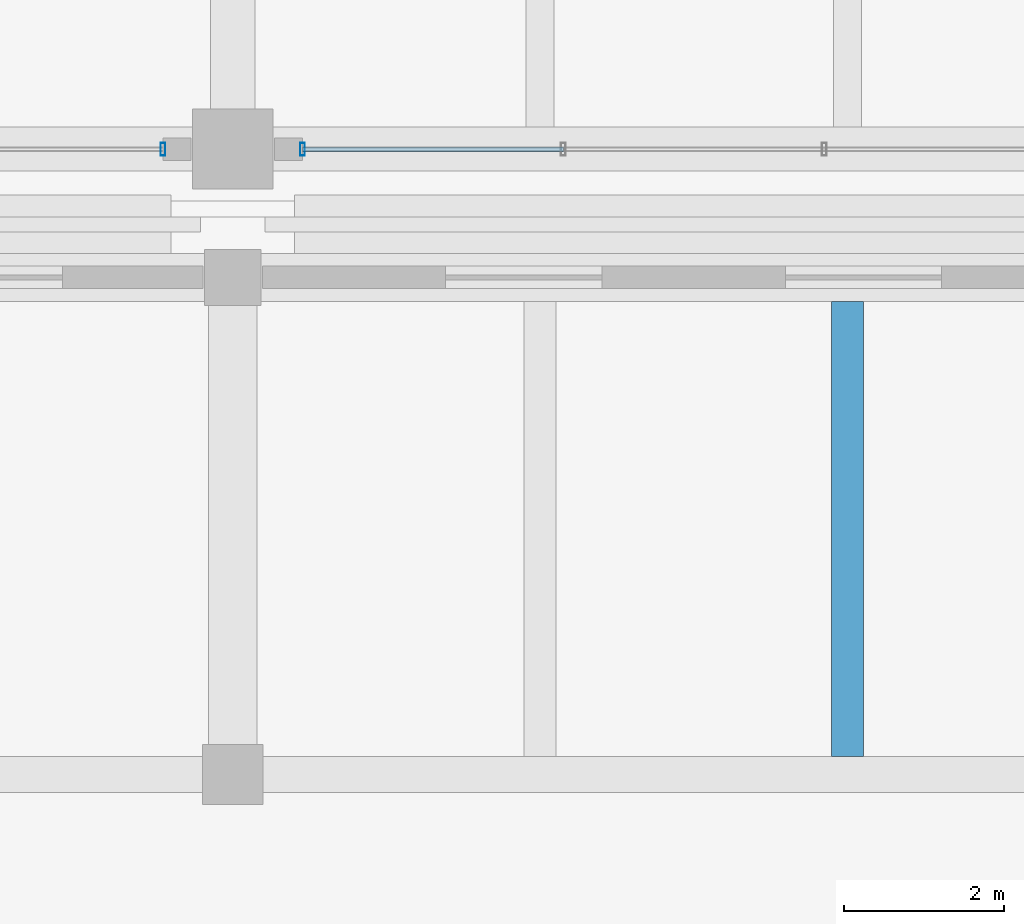
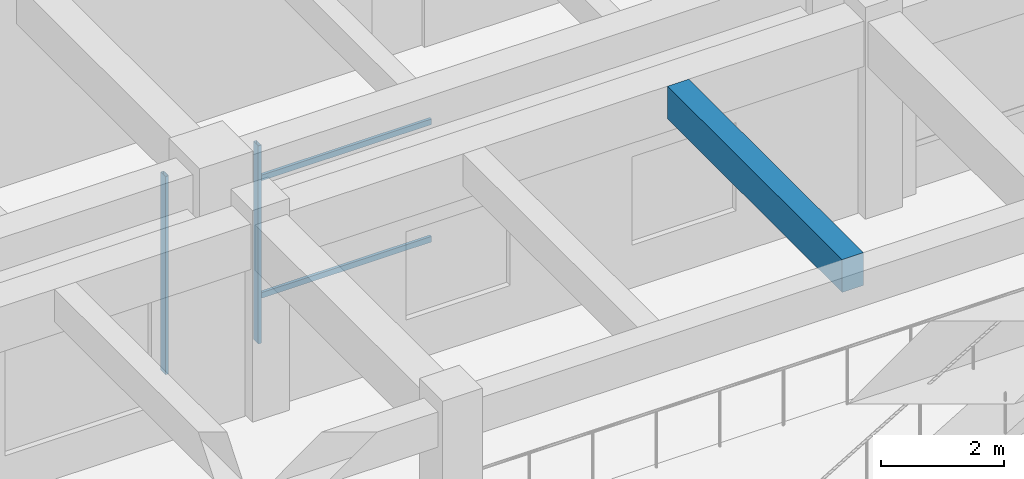
# One storey, part 28 of 109: 4 members, 1 beam, 2 elements without a shape of their own.
"""IFC4 building model written with IfcOpenShell, lengths in metres."""

import ifcopenshell
import ifcopenshell.guid

model = None  # the IFC model being written
_history = None  # IfcOwnerHistory: only IFC2X3 demands one
_inside = {}  # id of a spatial element -> (the spatial element, [elements in it])
_under = {}  # id of a project, library or spatial element -> (it, [spatial elements below it])
_declared = {}  # id of a project -> (the project, [libraries it declares])
_typed = {}  # id of a type object -> (the type object, [elements of that type])
_made_of = {}  # id of a material, layer set ... -> (it, [elements and type objects made of it])


def new_model(schema):
    """Start an empty IFC model of exactly this schema.

    Asked for "IFC4X3", IfcOpenShell would pick the latest addendum, in which some entities
    have other attributes; the version numbers below select the first issue.
    IFC2X3 requires an IfcOwnerHistory on every rooted entity: one is made here for all.
    """
    global model, _history
    if schema == "IFC4X3":
        model = ifcopenshell.file(schema_version=(4, 3, 0, 0))
    else:
        model = ifcopenshell.file(schema=schema)
    _inside.clear()
    _under.clear()
    _declared.clear()
    _typed.clear()
    _made_of.clear()
    _history = None
    if model.schema == "IFC2X3":
        org = make("IfcOrganization", Name="unknown")
        user = make(
            "IfcPersonAndOrganization",
            ThePerson=make("IfcPerson", FamilyName="unknown"),
            TheOrganization=org,
        )
        app = make(
            "IfcApplication",
            ApplicationDeveloper=org,
            Version="unknown",
            ApplicationFullName="unknown",
            ApplicationIdentifier="unknown",
        )
        _history = make(
            "IfcOwnerHistory",
            OwningUser=user,
            OwningApplication=app,
            ChangeAction="ADDED",
            CreationDate=0,
        )
    return model


def make(cls, **values):
    """One entity of the class cls with the attributes given. An attribute that is None is left unset."""
    return model.create_entity(
        cls, **{name: value for name, value in values.items() if value is not None}
    )


def rooted(cls, **values):
    """An entity with a GlobalId (a new one), such as an element, a storey or a relation."""
    return make(cls, GlobalId=ifcopenshell.guid.new(), OwnerHistory=_history, **values)


def si_unit(unit_type, name, prefix=None):
    """IfcSIUnit, for example si_unit("LENGTHUNIT", "METRE", prefix="MILLI")."""
    return make("IfcSIUnit", UnitType=unit_type, Prefix=prefix, Name=name)


def assignment(units):
    """IfcUnitAssignment: the units of a project."""
    return None if units is None else make("IfcUnitAssignment", Units=units)


def point(xyz):
    """IfcCartesianPoint."""
    return None if xyz is None else make("IfcCartesianPoint", Coordinates=xyz)


def direction(xyz):
    """IfcDirection."""
    return None if xyz is None else make("IfcDirection", DirectionRatios=xyz)


def frame(location, z_axis=None, x_axis=None):
    """IfcAxis2Placement3D, a coordinate frame: its origin and axes. An axis left out is left unset."""
    return make(
        "IfcAxis2Placement3D",
        Location=point(location),
        Axis=direction(z_axis),
        RefDirection=direction(x_axis),
    )


def frame_2d(location, x_axis=None):
    """IfcAxis2Placement2D, a coordinate frame in the plane: its origin and x axis."""
    return make(
        "IfcAxis2Placement2D", Location=point(location), RefDirection=direction(x_axis)
    )


def origin():
    """The frame at (0, 0, 0) with its axes left unset."""
    return frame((0.0, 0.0, 0.0))


def origin_2d():
    """The frame at (0, 0) in the plane with its x axis left unset."""
    return frame_2d((0.0, 0.0))


def place(relative_to, where):
    """IfcLocalPlacement: puts the frame where relative to a parent placement (None: the world)."""
    return make(
        "IfcLocalPlacement", PlacementRelTo=relative_to, RelativePlacement=where
    )


def context(
    kind, dimensions, precision=None, world=None, true_north=None, identifier=None
):
    """IfcGeometricRepresentationContext, for example the 3D "Model" context."""
    return make(
        "IfcGeometricRepresentationContext",
        ContextIdentifier=identifier,
        ContextType=kind,
        CoordinateSpaceDimension=dimensions,
        Precision=precision,
        WorldCoordinateSystem=world,
        TrueNorth=true_north,
    )


def subcontext(parent, identifier, kind, view, scale=None):
    """IfcGeometricRepresentationSubContext, for example "Body" below "Model"."""
    return make(
        "IfcGeometricRepresentationSubContext",
        ContextIdentifier=identifier,
        ContextType=kind,
        ParentContext=parent,
        TargetScale=scale,
        TargetView=view,
    )


def project(units=None, contexts=None):
    """IfcProject with its units and contexts."""
    return rooted(
        "IfcProject",
        Name="project",
        RepresentationContexts=contexts,
        UnitsInContext=assignment(units),
    )


def spatial(cls, under=None, at=None, **own):
    """A site, building, storey or space (cls), placed at a placement, below another one or the project."""
    s = rooted(cls, ObjectPlacement=at, **own)
    if under is not None:
        _under.setdefault(under.id(), (under, []))[1].append(s)
    return s


def profile(cls, at=None, kind="AREA", **sizes):
    """A parametric profile (cls). Its sizes go by their IFC names, for example OverallWidth=200.0."""
    return make(cls, ProfileType=kind, Position=at, **sizes)


def rectangle(**sizes):
    """IfcRectangleProfileDef."""
    return profile("IfcRectangleProfileDef", **sizes)


def hollow_rectangle(**sizes):
    """IfcRectangleHollowProfileDef."""
    return profile("IfcRectangleHollowProfileDef", **sizes)


def extrude(swept, where, along, depth):
    """IfcExtrudedAreaSolid: the profile swept, set in the frame where, extruded along a direction by depth."""
    return make(
        "IfcExtrudedAreaSolid",
        SweptArea=swept,
        Position=where,
        ExtrudedDirection=direction(along),
        Depth=depth,
    )


def shape(context_of_items, identifier, shape_type, items):
    """IfcShapeRepresentation: the items that make up one representation, for example the "Body"."""
    return make(
        "IfcShapeRepresentation",
        ContextOfItems=context_of_items,
        RepresentationIdentifier=identifier,
        RepresentationType=shape_type,
        Items=items,
    )


def material(Name=None, Category=None):
    """IfcMaterial."""
    return make("IfcMaterial", Name=Name, Category=Category)


def material_profile(
    of_material, cross_section, Name=None, Category=None, Priority=None
):
    """IfcMaterialProfile: a cross section and its material."""
    return make(
        "IfcMaterialProfile",
        Name=Name,
        Material=of_material,
        Profile=cross_section,
        Priority=Priority,
        Category=Category,
    )


def profile_set(profiles, Name=None, composite=None):
    """IfcMaterialProfileSet."""
    return make(
        "IfcMaterialProfileSet",
        Name=Name,
        MaterialProfiles=profiles,
        CompositeProfile=composite,
    )


def made_of(thing, what):
    """Note that an element or type object is made of a material, layer set ...; save() writes the relation."""
    if what is not None:
        _made_of.setdefault(what.id(), (what, []))[1].append(thing)
    return thing


def type_object(cls, material=None, **own):
    """A type object (cls), such as IfcWallType, which elements share."""
    return made_of(rooted(cls, **own), material)


def element(
    cls,
    number,
    at=None,
    inside=None,
    cuts=None,
    type_object=None,
    material=None,
    context=None,
    identifier="Body",
    shape_type=None,
    held_by="IfcProductDefinitionShape",
    body=None,
    shapes=None,
    **own,
):
    """One element of the class cls, such as IfcWall. Its Tag is "e" and its number.

    at: its placement. inside: the storey or other place that contains it. cuts: it is an
    opening in that element (IfcRelVoidsElement). A single representation is given by context,
    identifier, shape_type and body (its items); several are given by shapes. held_by: the class
    of the entity that holds the representations. save() writes the other relations.
    """
    e = rooted(cls, Tag="e%d" % number, ObjectPlacement=at, **own)
    if body is not None:
        shapes = [shape(context, identifier, shape_type, body)]
    if shapes is not None:
        e.Representation = make(held_by, Representations=shapes)
    if inside is not None:
        _inside.setdefault(inside.id(), (inside, []))[1].append(e)
    if cuts is not None:
        rooted(
            "IfcRelVoidsElement", RelatingBuildingElement=cuts, RelatedOpeningElement=e
        )
    if type_object is not None:
        _typed.setdefault(type_object.id(), (type_object, []))[1].append(e)
    return made_of(e, material)


def aggregate(whole, parts):
    """IfcRelAggregates: a whole, such as a stair, and the parts it consists of."""
    return rooted("IfcRelAggregates", RelatingObject=whole, RelatedObjects=parts)


def save(model, path):
    """Write the relations noted so far, then the file.

    IfcRelAggregates (storeys below a building ...), IfcRelContainedInSpatialStructure (elements
    in a storey), IfcRelDefinesByType, IfcRelAssociatesMaterial and IfcRelDeclares: one each for
    every whole, place, type object, material and project.
    """
    for whole, parts in _under.values():
        aggregate(whole, parts)
    for where, things in _inside.values():
        rooted(
            "IfcRelContainedInSpatialStructure",
            RelatedElements=things,
            RelatingStructure=where,
        )
    for kind, things in _typed.values():
        rooted("IfcRelDefinesByType", RelatedObjects=things, RelatingType=kind)
    for what, things in _made_of.values():
        rooted("IfcRelAssociatesMaterial", RelatedObjects=things, RelatingMaterial=what)
    for by, libraries in _declared.values():
        rooted("IfcRelDeclares", RelatingContext=by, RelatedDefinitions=libraries)
    model.write(path)


model = new_model("IFC4")

# Units and contexts
model_context = context("Model", 3, precision=1e-05, world=origin(), true_north=direction((0.0, 1.0)))
body_context = subcontext(model_context, "Body", "Model", "MODEL_VIEW")
ifc_project = project(units=[si_unit("LENGTHUNIT", "METRE"), si_unit("AREAUNIT", "SQUARE_METRE"), si_unit("VOLUMEUNIT", "CUBIC_METRE"), si_unit("PLANEANGLEUNIT", "RADIAN"), si_unit("MASSUNIT", "GRAM", prefix="KILO")], contexts=[model_context])

# Site, building, storey
site_placement = place(None, origin())
site = spatial("IfcSite", under=ifc_project, at=site_placement, CompositionType="ELEMENT")
building_placement = place(site_placement, origin())
building = spatial("IfcBuilding", under=site, at=building_placement, Name="Ologun Quay Terminus", CompositionType="ELEMENT")
storey_placement = place(building_placement, origin())
storey = spatial("IfcBuildingStorey", under=building, at=storey_placement, Name="L00", CompositionType="ELEMENT", Elevation=0.0)

# Curtain wall, member
ifc_material_1 = material(Name="Aluminium 6063-T6", Category="aluminium")
curtain_wall_type = type_object("IfcCurtainWallType", Name="Waterfront Pavilion Harbour Curtain Wall L00 10500x3750", PredefinedType="USERDEFINED", material=ifc_material_1)
curtain_wall_1_placement = place(storey_placement, origin())
curtain_wall_1 = element("IfcCurtainWall", 1, at=curtain_wall_1_placement, inside=storey, type_object=curtain_wall_type, Name="CW-22 Curtain Wall CW-L00-092", ObjectType="UNITISED CURTAIN WALL", PredefinedType="USERDEFINED")
ifc_material_2 = material(Name="Aluminium 6063-T6", Category="aluminium")
ifc_material_profile_1 = material_profile(ifc_material_2, hollow_rectangle(XDim=0.06005859375, YDim=0.159912109375, WallThickness=0.00390625, at=origin_2d()), Name="ALU 160x60x4")
ifc_profile_set_1 = profile_set([ifc_material_profile_1], Name="Aluminium 6063-T6")
member_type_1 = type_object("IfcMemberType", Name="Courtyard Screen Mullion 160x65", PredefinedType="MULLION", material=ifc_profile_set_1)
member_1_placement = place(storey_placement, frame((33.6298828125, 85.800048828125, 0.0), z_axis=(0.0, 0.0, 1.0), x_axis=(1.0, 0.0, 0.0)))
member_1 = element("IfcMember", 2, at=member_1_placement, type_object=member_type_1, Name="CW-L00-092 Mullion 4", PredefinedType="MULLION", context=body_context, shape_type="SweptSolid", body=[
    extrude(hollow_rectangle(XDim=0.06005859375, YDim=0.159912109375, WallThickness=0.00390625, at=origin_2d()), origin(), (0.0, 0.0, 1.0), 3.929931640625),
])
aggregate(curtain_wall_1, [member_1])

# Curtain wall, members
curtain_wall_2_placement = place(storey_placement, origin())
curtain_wall_2 = element("IfcCurtainWall", 3, at=curtain_wall_2_placement, inside=storey, type_object=curtain_wall_type, Name="CW-22 Curtain Wall CW-L00-093", ObjectType="UNITISED CURTAIN WALL", PredefinedType="USERDEFINED")
member_2_placement = place(storey_placement, frame((35.3701171875, 85.800048828125, 0.0), z_axis=(0.0, 0.0, 1.0), x_axis=(1.0, 0.0, 0.0)))
member_2 = element("IfcMember", 4, at=member_2_placement, type_object=member_type_1, Name="CW-L00-093 Mullion 1", PredefinedType="MULLION", context=body_context, shape_type="SweptSolid", body=[
    extrude(hollow_rectangle(XDim=0.06005859375, YDim=0.159912109375, WallThickness=0.00390625, at=origin_2d()), origin(), (0.0, 0.0, 1.0), 3.929931640625),
])
ifc_material_3 = material(Name="Aluminium 6063-T6", Category="aluminium")
ifc_material_profile_2 = material_profile(ifc_material_3, hollow_rectangle(XDim=0.054931640625, YDim=0.110107421875, WallThickness=0.00390625, at=origin_2d()), Name="ALU 110x55x4")
ifc_profile_set_2 = profile_set([ifc_material_profile_2], Name="Aluminium 6063-T6")
member_type_2 = type_object("IfcMemberType", Name="Courtyard Screen Transom 110x55", PredefinedType="USERDEFINED", material=ifc_profile_set_2)
member_3_placement = place(storey_placement, frame((35.3701171875, 85.800048828125, 0.89990234375), z_axis=(1.0, 0.0, 0.0), x_axis=(0.0, 1.0, 0.0)))
member_3 = element("IfcMember", 5, at=member_3_placement, type_object=member_type_2, Name="CW-L00-093 Transom B1-1", ObjectType="TRANSOM", PredefinedType="USERDEFINED", context=body_context, shape_type="SweptSolid", body=[
    extrude(hollow_rectangle(XDim=0.054931640625, YDim=0.110107421875, WallThickness=0.00390625, at=origin_2d()), origin(), (0.0, 0.0, 1.0), 3.253173828125),
])
member_4_placement = place(storey_placement, frame((35.3701171875, 85.800048828125, 3.22998046875), z_axis=(1.0, 0.0, 0.0), x_axis=(0.0, 1.0, 0.0)))
member_4 = element("IfcMember", 6, at=member_4_placement, type_object=member_type_2, Name="CW-L00-093 Transom B1-2", ObjectType="TRANSOM", PredefinedType="USERDEFINED", context=body_context, shape_type="SweptSolid", body=[
    extrude(hollow_rectangle(XDim=0.054931640625, YDim=0.110107421875, WallThickness=0.00390625, at=origin_2d()), origin(), (0.0, 0.0, 1.0), 3.253173828125),
])
aggregate(curtain_wall_2, [member_2, member_3, member_4])

# Beam
ifc_material_4 = material(Name="Concrete C40/50", Category="concrete")
ifc_material_profile_3 = material_profile(ifc_material_4, rectangle(XDim=0.39990234375, YDim=0.64990234375, at=origin_2d()), Name="RC 400x650")
ifc_profile_set_3 = profile_set([ifc_material_profile_3], Name="Concrete C40/50")
beam_type = type_object("IfcBeamType", Name="Station Secondary Joist 400x650", PredefinedType="JOIST", material=ifc_profile_set_3)
beam_placement = place(storey_placement, frame((42.166748046875, 78.22509765625, 3.574951171875), z_axis=(0.0, 1.0, 0.0), x_axis=(-1.0, 0.0, 0.0)))
element("IfcBeam", 7, at=beam_placement, inside=storey, type_object=beam_type, Name="J1 Beam 4/F L00", PredefinedType="JOIST", context=body_context, shape_type="SweptSolid", body=[
    extrude(rectangle(XDim=0.39990234375, YDim=0.64990234375, at=origin_2d()), origin(), (0.0, 0.0, 1.0), 5.6748046875),
])

save(model, "model.ifc")
